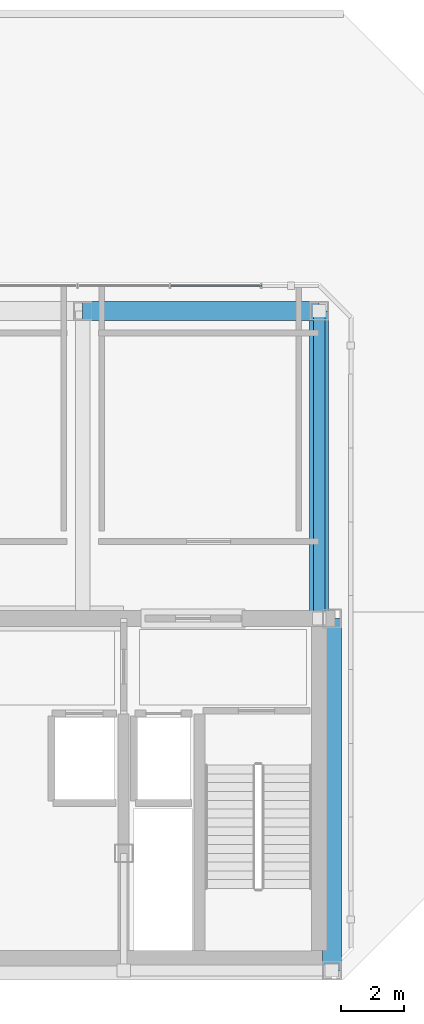
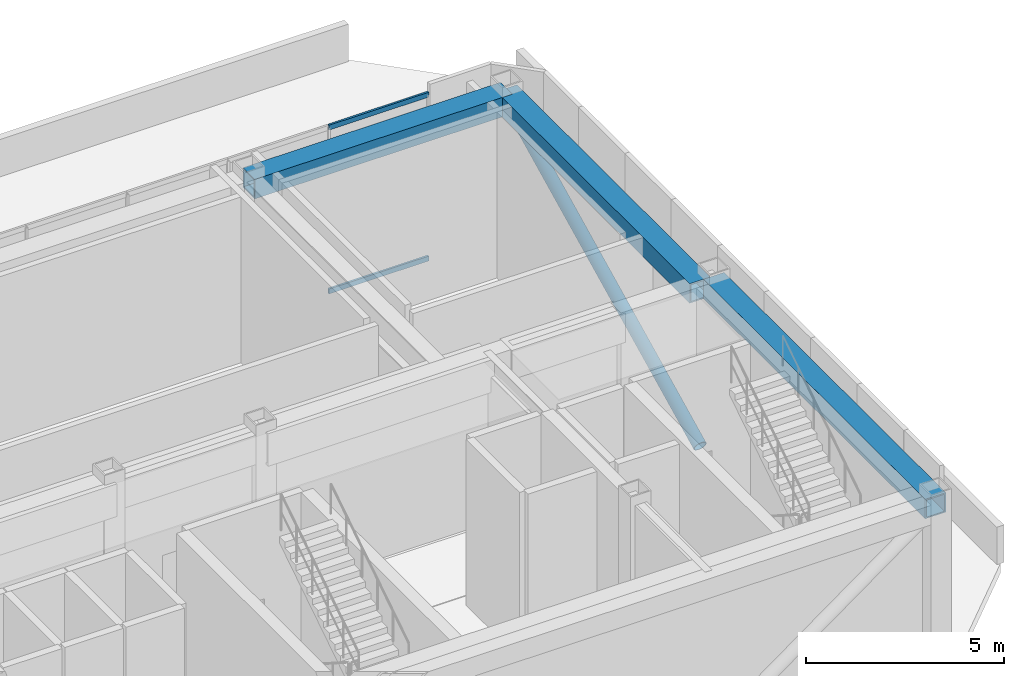
# One storey, part 6 of 11: 3 beams, 3 members, 1 element without a shape of its own.
"""IFC4 building model written with IfcOpenShell, lengths in metres."""

from ifc_helpers import new_model, si_unit, direction, frame, origin, origin_2d, place, context, subcontext, project, spatial, hollow_rectangle, hollow_circle, extrude, material, material_profile, profile_set, type_object, element, aggregate, save


model = new_model("IFC4")

# Units and contexts
model_context = context("Model", 3, precision=1e-05, world=origin(), true_north=direction((0.0, 1.0)))
body_context = subcontext(model_context, "Body", "Model", "MODEL_VIEW")
ifc_project = project(units=[si_unit("LENGTHUNIT", "METRE"), si_unit("AREAUNIT", "SQUARE_METRE"), si_unit("VOLUMEUNIT", "CUBIC_METRE"), si_unit("PLANEANGLEUNIT", "RADIAN"), si_unit("MASSUNIT", "GRAM", prefix="KILO")], contexts=[model_context])

# Site, building, storey
site_placement = place(None, origin())
site = spatial("IfcSite", under=ifc_project, at=site_placement, CompositionType="ELEMENT")
building_placement = place(site_placement, origin())
building = spatial("IfcBuilding", under=site, at=building_placement, Name="Ventersveld Concourse Tower", CompositionType="ELEMENT")
storey_placement = place(building_placement, frame((0.0, 0.0, 366.64990234375)))
storey = spatial("IfcBuildingStorey", under=building, at=storey_placement, Name="L90", CompositionType="ELEMENT", Elevation=366.64990234375)

# Member
ifc_material_1 = material(Name="Structural steel S355ML", Category="steel")
ifc_material_profile_1 = material_profile(ifc_material_1, hollow_circle(Radius=0.177734375, WallThickness=0.01611328125, at=origin_2d()), Name="CHS 355.6x16")
ifc_profile_set_1 = profile_set([ifc_material_profile_1], Name="Structural steel S355ML")
member_type_1 = type_object("IfcMemberType", Name="CF-BR-355", PredefinedType="BRACE", material=ifc_profile_set_1)
member_1_placement = place(storey_placement, frame((43.75, 11.449951171875, 0.0), z_axis=(0.0, 0.897168895597, 0.441687641635), x_axis=(-1.0, 0.0, 0.0)))
element("IfcMember", 1, at=member_1_placement, inside=storey, type_object=member_type_1, Name="L90 CROWN FRAME Wind Brace 4", PredefinedType="BRACE", context=body_context, shape_type="SweptSolid", body=[
    extrude(hollow_circle(Radius=0.177734375, WallThickness=0.01611328125, at=origin_2d()), origin(), (0.0, 0.0, 1.0), 10.867431640625),
])

# Curtain wall, members
ifc_material_2 = material(Name="Anodised aluminium EN AW-6063-T6", Category="aluminium")
curtain_wall_type = type_object("IfcCurtainWallType", Name="CW-CRN-6", PredefinedType="NOTDEFINED", material=ifc_material_2)
curtain_wall_placement = place(storey_placement, origin())
curtain_wall = element("IfcCurtainWall", 2, at=curtain_wall_placement, inside=storey, type_object=curtain_wall_type, Name="L90 L90 Crown North Glazed Curtain Wall", PredefinedType="NOTDEFINED")
ifc_material_profile_2 = material_profile(ifc_material_2, hollow_rectangle(XDim=0.06005859375, YDim=0.14990234375, WallThickness=0.00390625, at=origin_2d()), Name="ALU 150x60x4")
ifc_profile_set_2 = profile_set([ifc_material_profile_2], Name="Anodised aluminium EN AW-6063-T6")
member_type_2 = type_object("IfcMemberType", Name="CWT-150x60", PredefinedType="USERDEFINED", material=ifc_profile_set_2)
member_2_placement = place(storey_placement, frame((41.929931640625, 22.0, 0.030029296875), z_axis=(-1.0, 0.0, 0.0), x_axis=(0.0, -1.0, 0.0)))
member_2 = element("IfcMember", 3, at=member_2_placement, type_object=member_type_2, Name="CW-L90-N Transom 1-01", ObjectType="TRANSOM", PredefinedType="USERDEFINED", context=body_context, shape_type="SweptSolid", body=[
    extrude(hollow_rectangle(XDim=0.06005859375, YDim=0.14990234375, WallThickness=0.00390625, at=origin_2d()), origin(), (0.0, 0.0, 1.0), 2.9033203125),
])
member_3_placement = place(storey_placement, frame((41.929931640625, 22.0, 5.070068359375), z_axis=(-1.0, 0.0, 0.0), x_axis=(0.0, -1.0, 0.0)))
member_3 = element("IfcMember", 4, at=member_3_placement, type_object=member_type_2, Name="CW-L90-N Transom 2-01", ObjectType="TRANSOM", PredefinedType="USERDEFINED", context=body_context, shape_type="SweptSolid", body=[
    extrude(hollow_rectangle(XDim=0.06005859375, YDim=0.14990234375, WallThickness=0.00390625, at=origin_2d()), origin(), (0.0, 0.0, 1.0), 2.9033203125),
])
aggregate(curtain_wall, [member_2, member_3])

# Beams
ifc_material_profile_3 = material_profile(ifc_material_1, hollow_rectangle(XDim=0.60009765625, YDim=0.60009765625, WallThickness=0.0400390625, at=origin_2d()), Name="BOX 600x600x40")
ifc_profile_set_3 = profile_set([ifc_material_profile_3], Name="Structural steel S355ML")
beam_type = type_object("IfcBeamType", Name="SPD-BOX600", PredefinedType="SPANDREL", material=ifc_profile_set_3)
beam_1_placement = place(storey_placement, frame((44.14990234375, 0.280029296875, 4.800048828125), z_axis=(0.0, 1.0, 0.0), x_axis=(-1.0, 0.0, 0.0)))
element("IfcBeam", 5, at=beam_1_placement, inside=storey, type_object=beam_type, Name="L90 CROWN FRAME Perimeter Ring Beam 2", PredefinedType="SPANDREL", context=body_context, shape_type="SweptSolid", body=[
    extrude(hollow_rectangle(XDim=0.60009765625, YDim=0.60009765625, WallThickness=0.0400390625, at=origin_2d()), origin(), (0.0, 0.0, 1.0), 11.169921875),
])
beam_2_placement = place(storey_placement, frame((43.75, 11.449951171875, 4.800048828125), z_axis=(0.0, 1.0, 0.0), x_axis=(-1.0, 0.0, 0.0)))
element("IfcBeam", 6, at=beam_2_placement, inside=storey, type_object=beam_type, Name="L90 CROWN FRAME Perimeter Ring Beam 3", PredefinedType="SPANDREL", context=body_context, shape_type="SweptSolid", body=[
    extrude(hollow_rectangle(XDim=0.60009765625, YDim=0.60009765625, WallThickness=0.0400390625, at=origin_2d()), origin(), (0.0, 0.0, 1.0), 9.75),
])
beam_3_placement = place(storey_placement, frame((43.75, 21.199951171875, 4.800048828125), z_axis=(-1.0, 0.0, 0.0), x_axis=(0.0, -1.0, 0.0)))
element("IfcBeam", 7, at=beam_3_placement, inside=storey, type_object=beam_type, Name="L90 CROWN FRAME Perimeter Ring Beam 4", PredefinedType="SPANDREL", context=body_context, shape_type="SweptSolid", body=[
    extrude(hollow_rectangle(XDim=0.60009765625, YDim=0.60009765625, WallThickness=0.0400390625, at=origin_2d()), origin(), (0.0, 0.0, 1.0), 7.5),
])

save(model, "model.ifc")
